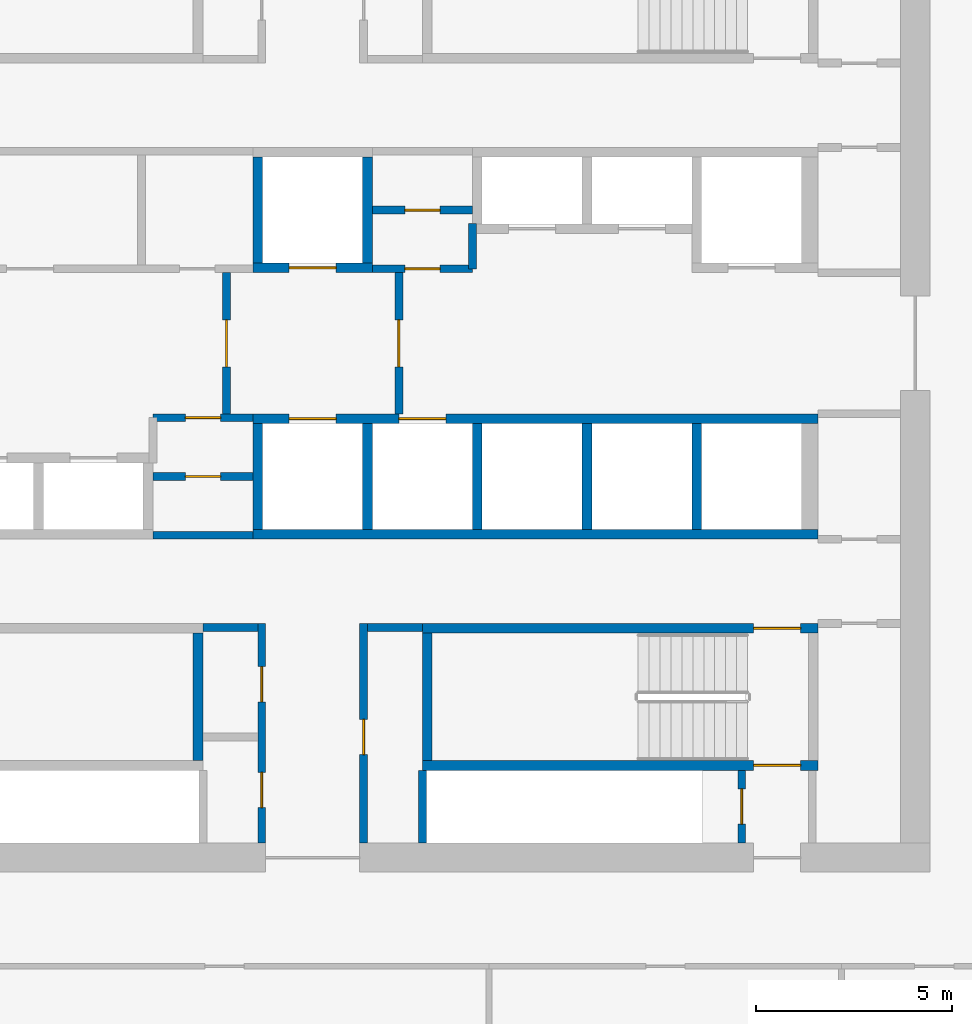
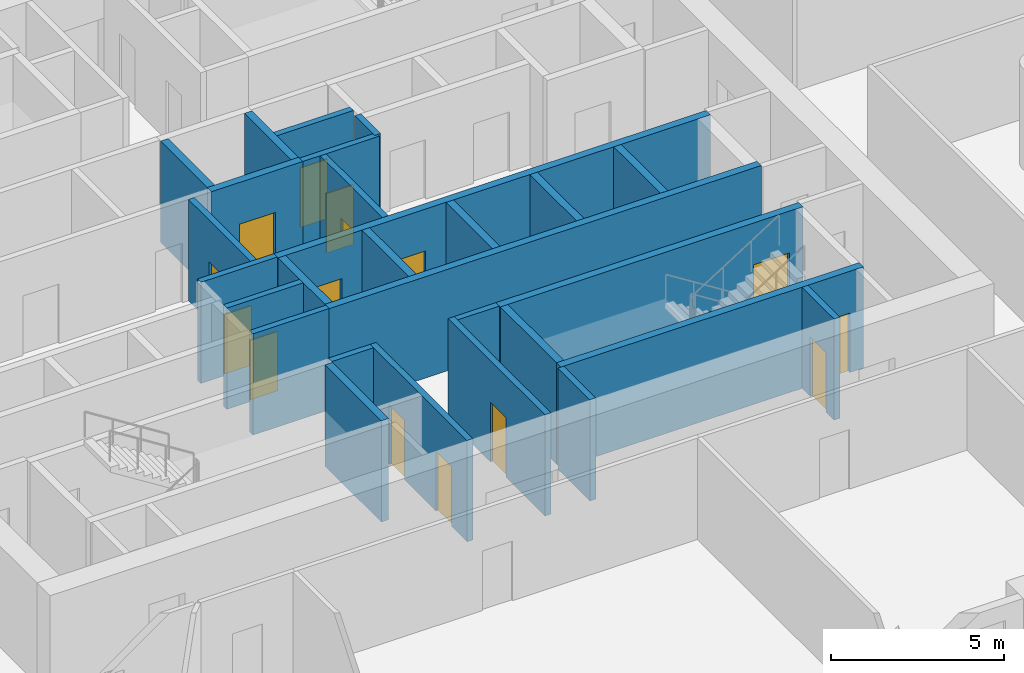
# One storey, part 4 of 17: 28 walls, 15 doors, 15 openings.
"""IFC4 building model written with IfcOpenShell, lengths in metres."""

from ifc_helpers import new_model, si_unit, direction, frame, frame_2d, origin, place, context, subcontext, project, spatial, polyline, rectangle, outline, extrude, material, layer, layer_set, type_object, element, fill, save


model = new_model("IFC4")

# Units and contexts
model_context = context("Model", 3, precision=1e-05, world=origin(), true_north=direction((0.0, 1.0)))
body_context = subcontext(model_context, "Body", "Model", "MODEL_VIEW")
ifc_project = project(units=[si_unit("LENGTHUNIT", "METRE"), si_unit("AREAUNIT", "SQUARE_METRE"), si_unit("VOLUMEUNIT", "CUBIC_METRE"), si_unit("PLANEANGLEUNIT", "RADIAN"), si_unit("MASSUNIT", "GRAM", prefix="KILO")], contexts=[model_context])

# Site, building, storey
site_placement = place(None, origin())
site = spatial("IfcSite", under=ifc_project, at=site_placement, CompositionType="ELEMENT")
building_placement = place(site_placement, origin())
building = spatial("IfcBuilding", under=site, at=building_placement, Name="Dhurran Vertical Campus", CompositionType="ELEMENT")
storey_placement = place(building_placement, frame((0.0, 0.0, 156.0)))
storey = spatial("IfcBuildingStorey", under=building, at=storey_placement, Name="L38", CompositionType="ELEMENT", Elevation=156.0)

# Wall, opening, door
ifc_material_1 = material(Name="Fire-rated masonry blockwork", Category="masonry")
ifc_layer_1 = layer(ifc_material_1, 0.199951171875)
ifc_layer_set_1 = layer_set([ifc_layer_1], Name="Fire-rated masonry blockwork")
wall_type_1 = type_object("IfcWallType", Name="co-FIRE-PARTITION-200", PredefinedType="PARTITIONING", material=ifc_layer_set_1)
wall_1_placement = place(storey_placement, frame((-2.199951171875, -1.800048828125, 0.0), z_axis=(0.0, 0.0, 1.0), x_axis=(0.0, 1.0, 0.0)))
wall_1 = element("IfcWall", 1, at=wall_1_placement, inside=storey, type_object=wall_type_1, Name="Firefighting lobby wall W L38", PredefinedType="PARTITIONING", context=body_context, shape_type="SweptSolid", body=[
    extrude(rectangle(XDim=3.60009765625, YDim=0.199951171875, at=frame_2d((1.800048828125, 0.0))), origin(), (0.0, 0.0, 1.0), 3.574951171875),
])
opening_1_placement = place(wall_1_placement, frame((1.199951171875, 0.0, 0.0)))
opening_1 = element("IfcOpeningElement", 2, at=opening_1_placement, cuts=wall_1, Name="Opening FL1", PredefinedType="OPENING", context=body_context, shape_type="SweptSolid", body=[
    extrude(rectangle(XDim=1.199951171875, YDim=2.10009765625, at=frame_2d((0.60009765625, 1.050048828125))), frame((0.0, 0.10986328125, 0.0), z_axis=(0.0, -1.0, 0.0), x_axis=(1.0, 0.0, 0.0)), (0.0, 0.0, 1.0), 0.219970703125),
])
ifc_material_2 = material(Name="Fire-rated steel door set", Category="steel")
door_type_1 = type_object("IfcDoorType", Name="co-D-FFLOBBY 1200x2100", OperationType="SINGLE_SWING_LEFT", PredefinedType="DOOR", material=ifc_material_2)
door_1_placement = place(opening_1_placement, origin())
door_1 = element("IfcDoor", 3, at=door_1_placement, inside=storey, type_object=door_type_1, Name="Firefighting lobby door W L38", OperationType="SINGLE_SWING_LEFT", OverallHeight=2.10009765625, OverallWidth=1.199951171875, PredefinedType="DOOR", context=body_context, shape_type="SweptSolid", body=[
    extrude(rectangle(XDim=1.199951171875, YDim=2.10009765625, at=frame_2d((0.60009765625, 1.050048828125))), frame((0.0, 0.02490234375, 0.0), z_axis=(0.0, -1.0, 0.0), x_axis=(1.0, 0.0, 0.0)), (0.0, 0.0, 1.0), 0.050048828125),
])
fill(opening_1, door_1)

wall_2_placement = place(storey_placement, frame((2.199951171875, -1.800048828125, 0.0), z_axis=(0.0, 0.0, 1.0), x_axis=(0.0, 1.0, 0.0)))
wall_2 = element("IfcWall", 4, at=wall_2_placement, inside=storey, type_object=wall_type_1, Name="Firefighting lobby wall E L38", PredefinedType="PARTITIONING", context=body_context, shape_type="SweptSolid", body=[
    extrude(rectangle(XDim=3.60009765625, YDim=0.199951171875, at=frame_2d((1.800048828125, 0.0))), origin(), (0.0, 0.0, 1.0), 3.574951171875),
])
opening_2_placement = place(wall_2_placement, frame((1.199951171875, 0.0, 0.0)))
opening_2 = element("IfcOpeningElement", 5, at=opening_2_placement, cuts=wall_2, Name="Opening FL2", PredefinedType="OPENING", context=body_context, shape_type="SweptSolid", body=[
    extrude(rectangle(XDim=1.199951171875, YDim=2.10009765625, at=frame_2d((0.60009765625, 1.050048828125))), frame((0.0, 0.10986328125, 0.0), z_axis=(0.0, -1.0, 0.0), x_axis=(1.0, 0.0, 0.0)), (0.0, 0.0, 1.0), 0.219970703125),
])
door_2_placement = place(opening_2_placement, origin())
door_2 = element("IfcDoor", 6, at=door_2_placement, inside=storey, type_object=door_type_1, Name="Firefighting lobby door E L38", OperationType="SINGLE_SWING_LEFT", OverallHeight=2.10009765625, OverallWidth=1.199951171875, PredefinedType="DOOR", context=body_context, shape_type="SweptSolid", body=[
    extrude(rectangle(XDim=1.199951171875, YDim=2.10009765625, at=frame_2d((0.60009765625, 1.050048828125))), frame((0.0, 0.02490234375, 0.0), z_axis=(0.0, -1.0, 0.0), x_axis=(1.0, 0.0, 0.0)), (0.0, 0.0, 1.0), 0.050048828125),
])
fill(opening_2, door_2)

# Walls
for number, where, z_axis, x_axis, name in (
    (7, (-2.800048828125, -7.25, 0.0), (0.0, 0.0, 1.0), (1.0, 0.0, 0.0), "Core partition sl-SW-S L38"),
    (8, (1.39990234375, -7.25, 0.0), (0.0, 0.0, 1.0), (1.0, 0.0, 0.0), "Core partition sl-SE-S L38"),
):
    element("IfcWall", number, at=place(storey_placement, frame(where, z_axis=z_axis, x_axis=x_axis)), inside=storey, type_object=wall_type_1, Name=name, PredefinedType="PARTITIONING", context=body_context, shape_type="SweptSolid", body=[
        extrude(rectangle(XDim=1.400146484375, YDim=0.199951171875, at=frame_2d((0.7001953125, 0.0))), origin(), (0.0, 0.0, 1.0), 3.574951171875),
    ])

# Wall, openings, doors
wall_3_placement = place(storey_placement, frame((-1.300048828125, -12.75, 0.0), z_axis=(0.0, 0.0, 1.0), x_axis=(0.0, 1.0, 0.0)))
wall_3 = element("IfcWall", 9, at=wall_3_placement, inside=storey, type_object=wall_type_1, Name="Core partition vest-SW L38", PredefinedType="PARTITIONING", context=body_context, shape_type="SweptSolid", body=[
    extrude(rectangle(XDim=5.60009765625, YDim=0.199951171875, at=frame_2d((2.800048828125, 0.0))), origin(), (0.0, 0.0, 1.0), 3.574951171875),
])
opening_3_placement = place(wall_3_placement, frame((0.89990234375, 0.0, 0.0)))
opening_3 = element("IfcOpeningElement", 10, at=opening_3_placement, cuts=wall_3, Name="Opening T11-C1", PredefinedType="OPENING", context=body_context, shape_type="SweptSolid", body=[
    extrude(rectangle(XDim=0.89990234375, YDim=2.10009765625, at=frame_2d((0.449951171875, 1.050048828125))), frame((0.0, 0.10986328125, 0.0), z_axis=(0.0, -1.0, 0.0), x_axis=(1.0, 0.0, 0.0)), (0.0, 0.0, 1.0), 0.219970703125),
])
opening_4_placement = place(wall_3_placement, frame((3.60009765625, 0.0, 0.0)))
opening_4 = element("IfcOpeningElement", 11, at=opening_4_placement, cuts=wall_3, Name="Opening T11-C2", PredefinedType="OPENING", context=body_context, shape_type="SweptSolid", body=[
    extrude(rectangle(XDim=0.89990234375, YDim=2.10009765625, at=frame_2d((0.449951171875, 1.050048828125))), frame((0.0, 0.10986328125, 0.0), z_axis=(0.0, -1.0, 0.0), x_axis=(1.0, 0.0, 0.0)), (0.0, 0.0, 1.0), 0.219970703125),
])
ifc_material_3 = material(Name="Fire-rated timber door set", Category="wood")
door_type_2 = type_object("IfcDoorType", Name="co-D-ROOM 900x2100", OperationType="SINGLE_SWING_LEFT", PredefinedType="DOOR", material=ifc_material_3)
door_3_placement = place(opening_3_placement, origin())
door_3 = element("IfcDoor", 12, at=door_3_placement, inside=storey, type_object=door_type_2, Name="Cleaner's store door L38", OperationType="SINGLE_SWING_LEFT", OverallHeight=2.10009765625, OverallWidth=0.89990234375, PredefinedType="DOOR", context=body_context, shape_type="SweptSolid", body=[
    extrude(rectangle(XDim=0.89990234375, YDim=2.10009765625, at=frame_2d((0.449951171875, 1.050048828125))), frame((0.0, 0.02490234375, 0.0), z_axis=(0.0, -1.0, 0.0), x_axis=(1.0, 0.0, 0.0)), (0.0, 0.0, 1.0), 0.050048828125),
])
fill(opening_3, door_3)
door_4_placement = place(opening_4_placement, origin())
door_4 = element("IfcDoor", 13, at=door_4_placement, inside=storey, type_object=door_type_2, Name="Store door L38", OperationType="SINGLE_SWING_LEFT", OverallHeight=2.10009765625, OverallWidth=0.89990234375, PredefinedType="DOOR", context=body_context, shape_type="SweptSolid", body=[
    extrude(rectangle(XDim=0.89990234375, YDim=2.10009765625, at=frame_2d((0.449951171875, 1.050048828125))), frame((0.0, 0.02490234375, 0.0), z_axis=(0.0, -1.0, 0.0), x_axis=(1.0, 0.0, 0.0)), (0.0, 0.0, 1.0), 0.050048828125),
])
fill(opening_4, door_4)

# Wall, opening, door
wall_4_placement = place(storey_placement, frame((1.300048828125, -12.75, 0.0), z_axis=(0.0, 0.0, 1.0), x_axis=(0.0, 1.0, 0.0)))
wall_4 = element("IfcWall", 14, at=wall_4_placement, inside=storey, type_object=wall_type_1, Name="Core partition vest-SE L38", PredefinedType="PARTITIONING", context=body_context, shape_type="SweptSolid", body=[
    extrude(rectangle(XDim=5.60009765625, YDim=0.199951171875, at=frame_2d((2.800048828125, 0.0))), origin(), (0.0, 0.0, 1.0), 3.574951171875),
])
opening_5_placement = place(wall_4_placement, frame((2.25, 0.0, 0.0)))
opening_5 = element("IfcOpeningElement", 15, at=opening_5_placement, cuts=wall_4, Name="Opening T11-C3", PredefinedType="OPENING", context=body_context, shape_type="SweptSolid", body=[
    extrude(rectangle(XDim=0.89990234375, YDim=2.10009765625, at=frame_2d((0.449951171875, 1.050048828125))), frame((0.0, 0.10986328125, 0.0), z_axis=(0.0, -1.0, 0.0), x_axis=(1.0, 0.0, 0.0)), (0.0, 0.0, 1.0), 0.219970703125),
])
door_5_placement = place(opening_5_placement, origin())
door_5 = element("IfcDoor", 16, at=door_5_placement, inside=storey, type_object=door_type_2, Name="Housekeeping store door L38", OperationType="SINGLE_SWING_LEFT", OverallHeight=2.10009765625, OverallWidth=0.89990234375, PredefinedType="DOOR", context=body_context, shape_type="SweptSolid", body=[
    extrude(rectangle(XDim=0.89990234375, YDim=2.10009765625, at=frame_2d((0.449951171875, 1.050048828125))), frame((0.0, 0.02490234375, 0.0), z_axis=(0.0, -1.0, 0.0), x_axis=(1.0, 0.0, 0.0)), (0.0, 0.0, 1.0), 0.050048828125),
])
fill(opening_5, door_5)

wall_5_placement = place(storey_placement, frame((10.949951171875, -12.75, 0.0), z_axis=(0.0, 0.0, 1.0), x_axis=(0.0, 1.0, 0.0)))
wall_5 = element("IfcWall", 17, at=wall_5_placement, inside=storey, type_object=wall_type_1, Name="Core partition pass-ST4-i L38", PredefinedType="PARTITIONING", context=body_context, shape_type="SweptSolid", body=[
    extrude(rectangle(XDim=1.85009765625, YDim=0.199951171875, at=frame_2d((0.925048828125, 0.0))), origin(), (0.0, 0.0, 1.0), 3.574951171875),
])
opening_6_placement = place(wall_5_placement, frame((0.47509765625, 0.0, 0.0)))
opening_6 = element("IfcOpeningElement", 18, at=opening_6_placement, cuts=wall_5, Name="Opening T11-C11", PredefinedType="OPENING", context=body_context, shape_type="SweptSolid", body=[
    extrude(rectangle(XDim=0.89990234375, YDim=2.10009765625, at=frame_2d((0.449951171875, 1.050048828125))), frame((0.0, 0.10986328125, 0.0), z_axis=(0.0, -1.0, 0.0), x_axis=(1.0, 0.0, 0.0)), (0.0, 0.0, 1.0), 0.219970703125),
])
door_6_placement = place(opening_6_placement, origin())
door_6 = element("IfcDoor", 19, at=door_6_placement, inside=storey, type_object=door_type_2, Name="Riser room door L38", OperationType="SINGLE_SWING_LEFT", OverallHeight=2.10009765625, OverallWidth=0.89990234375, PredefinedType="DOOR", context=body_context, shape_type="SweptSolid", body=[
    extrude(rectangle(XDim=0.89990234375, YDim=2.10009765625, at=frame_2d((0.449951171875, 1.050048828125))), frame((0.0, 0.02490234375, 0.0), z_axis=(0.0, -1.0, 0.0), x_axis=(1.0, 0.0, 0.0)), (0.0, 0.0, 1.0), 0.050048828125),
])
fill(opening_6, door_6)

wall_6_placement = place(storey_placement, frame((1.52490234375, 3.39990234375, 0.0), z_axis=(0.0, 0.0, 1.0), x_axis=(1.0, 0.0, 0.0)))
wall_6 = element("IfcWall", 20, at=wall_6_placement, inside=storey, type_object=wall_type_1, Name="Core partition fr-N1-c L38", PredefinedType="PARTITIONING", context=body_context, shape_type="SweptSolid", body=[
    extrude(rectangle(XDim=2.550048828125, YDim=0.199951171875, at=frame_2d((1.27490234375, 0.0))), origin(), (0.0, 0.0, 1.0), 3.574951171875),
])
opening_7_placement = place(wall_6_placement, frame((0.824951171875, 0.0, 0.0)))
opening_7 = element("IfcOpeningElement", 21, at=opening_7_placement, cuts=wall_6, Name="Opening T11-C23", PredefinedType="OPENING", context=body_context, shape_type="SweptSolid", body=[
    extrude(rectangle(XDim=0.89990234375, YDim=2.10009765625, at=frame_2d((0.449951171875, 1.050048828125))), frame((0.0, 0.10986328125, 0.0), z_axis=(0.0, -1.0, 0.0), x_axis=(1.0, 0.0, 0.0)), (0.0, 0.0, 1.0), 0.219970703125),
])
door_7_placement = place(opening_7_placement, origin())
door_7 = element("IfcDoor", 22, at=door_7_placement, inside=storey, type_object=door_type_2, Name="Pantry door L38", OperationType="SINGLE_SWING_LEFT", OverallHeight=2.10009765625, OverallWidth=0.89990234375, PredefinedType="DOOR", context=body_context, shape_type="SweptSolid", body=[
    extrude(rectangle(XDim=0.89990234375, YDim=2.10009765625, at=frame_2d((0.449951171875, 1.050048828125))), frame((0.0, 0.02490234375, 0.0), z_axis=(0.0, -1.0, 0.0), x_axis=(1.0, 0.0, 0.0)), (0.0, 0.0, 1.0), 0.050048828125),
])
fill(opening_7, door_7)

wall_7_placement = place(storey_placement, frame((1.52490234375, 1.89990234375, 0.0), z_axis=(0.0, 0.0, 1.0), x_axis=(1.0, 0.0, 0.0)))
wall_7 = element("IfcWall", 23, at=wall_7_placement, inside=storey, type_object=wall_type_1, Name="Core partition fr-N1-f L38", PredefinedType="PARTITIONING", context=body_context, shape_type="SweptSolid", body=[
    extrude(rectangle(XDim=2.550048828125, YDim=0.199951171875, at=frame_2d((1.27490234375, 0.0))), origin(), (0.0, 0.0, 1.0), 3.574951171875),
])
opening_8_placement = place(wall_7_placement, frame((0.824951171875, 0.0, 0.0)))
opening_8 = element("IfcOpeningElement", 24, at=opening_8_placement, cuts=wall_7, Name="Opening T11-C24", PredefinedType="OPENING", context=body_context, shape_type="SweptSolid", body=[
    extrude(rectangle(XDim=0.89990234375, YDim=2.10009765625, at=frame_2d((0.449951171875, 1.050048828125))), frame((0.0, 0.10986328125, 0.0), z_axis=(0.0, -1.0, 0.0), x_axis=(1.0, 0.0, 0.0)), (0.0, 0.0, 1.0), 0.219970703125),
])
door_8_placement = place(opening_8_placement, origin())
door_8 = element("IfcDoor", 25, at=door_8_placement, inside=storey, type_object=door_type_2, Name="Server room door L38", OperationType="SINGLE_SWING_LEFT", OverallHeight=2.10009765625, OverallWidth=0.89990234375, PredefinedType="DOOR", context=body_context, shape_type="SweptSolid", body=[
    extrude(rectangle(XDim=0.89990234375, YDim=2.10009765625, at=frame_2d((0.449951171875, 1.050048828125))), frame((0.0, 0.02490234375, 0.0), z_axis=(0.0, -1.0, 0.0), x_axis=(1.0, 0.0, 0.0)), (0.0, 0.0, 1.0), 0.050048828125),
])
fill(opening_8, door_8)

# Wall
wall_8_placement = place(storey_placement, frame((4.074951171875, 1.89990234375, 0.0), z_axis=(0.0, 0.0, 1.0), x_axis=(0.0, 1.0, 0.0)))
element("IfcWall", 26, at=wall_8_placement, inside=storey, type_object=wall_type_1, Name="Core partition fr-N1-n1 L38", PredefinedType="PARTITIONING", context=body_context, shape_type="SweptSolid", body=[
    extrude(rectangle(XDim=1.150146484375, YDim=0.199951171875, at=frame_2d((0.5751953125, 0.0))), origin(), (0.0, 0.0, 1.0), 3.574951171875),
])

# Wall, opening, door
wall_9_placement = place(storey_placement, frame((-4.074951171875, -3.39990234375, 0.0), z_axis=(0.0, 0.0, 1.0), x_axis=(1.0, 0.0, 0.0)))
wall_9 = element("IfcWall", 27, at=wall_9_placement, inside=storey, type_object=wall_type_1, Name="Core partition fr-S0-c L38", PredefinedType="PARTITIONING", context=body_context, shape_type="SweptSolid", body=[
    extrude(rectangle(XDim=2.550048828125, YDim=0.199951171875, at=frame_2d((1.27490234375, 0.0))), origin(), (0.0, 0.0, 1.0), 3.574951171875),
])
opening_9_placement = place(wall_9_placement, frame((0.824951171875, 0.0, 0.0)))
opening_9 = element("IfcOpeningElement", 28, at=opening_9_placement, cuts=wall_9, Name="Opening T11-C25", PredefinedType="OPENING", context=body_context, shape_type="SweptSolid", body=[
    extrude(rectangle(XDim=0.89990234375, YDim=2.10009765625, at=frame_2d((0.449951171875, 1.050048828125))), frame((0.0, 0.10986328125, 0.0), z_axis=(0.0, -1.0, 0.0), x_axis=(1.0, 0.0, 0.0)), (0.0, 0.0, 1.0), 0.219970703125),
])
door_9_placement = place(opening_9_placement, origin())
door_9 = element("IfcDoor", 29, at=door_9_placement, inside=storey, type_object=door_type_2, Name="Housekeeping store door L38", OperationType="SINGLE_SWING_LEFT", OverallHeight=2.10009765625, OverallWidth=0.89990234375, PredefinedType="DOOR", context=body_context, shape_type="SweptSolid", body=[
    extrude(rectangle(XDim=0.89990234375, YDim=2.10009765625, at=frame_2d((0.449951171875, 1.050048828125))), frame((0.0, 0.02490234375, 0.0), z_axis=(0.0, -1.0, 0.0), x_axis=(1.0, 0.0, 0.0)), (0.0, 0.0, 1.0), 0.050048828125),
])
fill(opening_9, door_9)

wall_10_placement = place(storey_placement, frame((-4.074951171875, -1.89990234375, 0.0), z_axis=(0.0, 0.0, 1.0), x_axis=(1.0, 0.0, 0.0)))
wall_10 = element("IfcWall", 30, at=wall_10_placement, inside=storey, type_object=wall_type_1, Name="Core partition fr-S0-f L38", PredefinedType="PARTITIONING", context=body_context, shape_type="SweptSolid", body=[
    extrude(rectangle(XDim=2.550048828125, YDim=0.199951171875, at=frame_2d((1.27490234375, 0.0))), origin(), (0.0, 0.0, 1.0), 3.574951171875),
])
opening_10_placement = place(wall_10_placement, frame((0.824951171875, 0.0, 0.0)))
opening_10 = element("IfcOpeningElement", 31, at=opening_10_placement, cuts=wall_10, Name="Opening T11-C26", PredefinedType="OPENING", context=body_context, shape_type="SweptSolid", body=[
    extrude(rectangle(XDim=0.89990234375, YDim=2.10009765625, at=frame_2d((0.449951171875, 1.050048828125))), frame((0.0, 0.10986328125, 0.0), z_axis=(0.0, -1.0, 0.0), x_axis=(1.0, 0.0, 0.0)), (0.0, 0.0, 1.0), 0.219970703125),
])
door_10_placement = place(opening_10_placement, origin())
door_10 = element("IfcDoor", 32, at=door_10_placement, inside=storey, type_object=door_type_2, Name="Pantry door L38", OperationType="SINGLE_SWING_LEFT", OverallHeight=2.10009765625, OverallWidth=0.89990234375, PredefinedType="DOOR", context=body_context, shape_type="SweptSolid", body=[
    extrude(rectangle(XDim=0.89990234375, YDim=2.10009765625, at=frame_2d((0.449951171875, 1.050048828125))), frame((0.0, 0.02490234375, 0.0), z_axis=(0.0, -1.0, 0.0), x_axis=(1.0, 0.0, 0.0)), (0.0, 0.0, 1.0), 0.050048828125),
])
fill(opening_10, door_10)

# Walls
wall_11_placement = place(storey_placement, frame((-4.074951171875, -4.89990234375, 0.0), z_axis=(0.0, 0.0, 1.0), x_axis=(1.0, 0.0, 0.0)))
element("IfcWall", 33, at=wall_11_placement, inside=storey, type_object=wall_type_1, Name="Core partition fr-S0-b L38", PredefinedType="PARTITIONING", context=body_context, shape_type="SweptSolid", body=[
    extrude(rectangle(XDim=2.550048828125, YDim=0.199951171875, at=frame_2d((1.27490234375, 0.0))), origin(), (0.0, 0.0, 1.0), 3.574951171875),
])
wall_12_placement = place(storey_placement, frame((2.800048828125, -10.90087890625, 0.0), z_axis=(0.0, 0.0, 1.0), x_axis=(0.0, -1.0, 0.0)))
element("IfcWall", 34, at=wall_12_placement, inside=storey, type_object=wall_type_1, Name="Riser enclosure wall L38", PredefinedType="PARTITIONING", context=body_context, shape_type="SweptSolid", body=[
    extrude(rectangle(XDim=1.84814453125, YDim=0.199951171875, at=frame_2d((0.924072265625, 0.0))), origin(), (0.0, 0.0, 1.0), 3.574951171875),
])

# Wall, opening, door
ifc_material_4 = material(Name="Concrete C50/60", Category="concrete")
ifc_layer_2 = layer(ifc_material_4, 0.25)
ifc_layer_set_2 = layer_set([ifc_layer_2], Name="Concrete C50/60")
wall_type_2 = type_object("IfcWallType", Name="co-SHAFT-FRONT-250", PredefinedType="SHEAR", material=ifc_layer_set_2)
wall_13_placement = place(storey_placement, frame((-1.52490234375, 1.925048828125, 0.0), z_axis=(0.0, 0.0, 1.0), x_axis=(1.0, 0.0, 0.0)))
wall_13 = element("IfcWall", 35, at=wall_13_placement, inside=storey, type_object=wall_type_2, Name="Lift landing wall N L38", PredefinedType="SHEAR", context=body_context, shape_type="SweptSolid", body=[
    extrude(rectangle(XDim=3.0498046875, YDim=0.25, at=frame_2d((1.52490234375, 0.0))), origin(), (0.0, 0.0, 1.0), 3.574951171875),
])
opening_11_placement = place(wall_13_placement, frame((0.925048828125, 0.0, 0.0)))
opening_11 = element("IfcOpeningElement", 36, at=opening_11_placement, cuts=wall_13, Name="Opening LD", PredefinedType="OPENING", context=body_context, shape_type="SweptSolid", body=[
    extrude(rectangle(XDim=1.199951171875, YDim=2.10009765625, at=frame_2d((0.60009765625, 1.050048828125))), frame((0.0, 0.135009765625, 0.0), z_axis=(0.0, -1.0, 0.0), x_axis=(1.0, 0.0, 0.0)), (0.0, 0.0, 1.0), 0.27001953125),
])
ifc_material_5 = material(Name="Stainless steel landing door", Category="steel")
door_type_3 = type_object("IfcDoorType", Name="co-D-LANDING 1200x2100", OperationType="DOUBLE_DOOR_SLIDING", PredefinedType="DOOR", material=ifc_material_5)
door_11_placement = place(opening_11_placement, origin())
door_11 = element("IfcDoor", 37, at=door_11_placement, inside=storey, type_object=door_type_3, Name="Landing door FF1 L38", OperationType="DOUBLE_DOOR_SLIDING", OverallHeight=2.10009765625, OverallWidth=1.199951171875, PredefinedType="DOOR", context=body_context, shape_type="SweptSolid", body=[
    extrude(rectangle(XDim=1.199951171875, YDim=2.10009765625, at=frame_2d((0.60009765625, 1.050048828125))), frame((0.0, 0.02490234375, 0.0), z_axis=(0.0, -1.0, 0.0), x_axis=(1.0, 0.0, 0.0)), (0.0, 0.0, 1.0), 0.050048828125),
])
fill(opening_11, door_11)

# Wall, openings, doors
wall_14_placement = place(storey_placement, frame((-1.52490234375, -1.925048828125, 0.0), z_axis=(0.0, 0.0, 1.0), x_axis=(1.0, 0.0, 0.0)))
wall_14 = element("IfcWall", 38, at=wall_14_placement, inside=storey, type_object=wall_type_2, Name="Lift landing wall S L38", PredefinedType="SHEAR", context=body_context, shape_type="SweptSolid", body=[
    extrude(rectangle(XDim=14.4248046875, YDim=0.25, at=frame_2d((7.21240234375, 0.0))), origin(), (0.0, 0.0, 1.0), 3.574951171875),
])
opening_12_placement = place(wall_14_placement, frame((0.925048828125, 0.0, 0.0)))
opening_12 = element("IfcOpeningElement", 39, at=opening_12_placement, cuts=wall_14, Name="Opening LD", PredefinedType="OPENING", context=body_context, shape_type="SweptSolid", body=[
    extrude(rectangle(XDim=1.199951171875, YDim=2.10009765625, at=frame_2d((0.60009765625, 1.050048828125))), frame((0.0, 0.135009765625, 0.0), z_axis=(0.0, -1.0, 0.0), x_axis=(1.0, 0.0, 0.0)), (0.0, 0.0, 1.0), 0.27001953125),
])
opening_13_placement = place(wall_14_placement, frame((3.72509765625, 0.0, 0.0)))
opening_13 = element("IfcOpeningElement", 40, at=opening_13_placement, cuts=wall_14, Name="Opening LD", PredefinedType="OPENING", context=body_context, shape_type="SweptSolid", body=[
    extrude(rectangle(XDim=1.199951171875, YDim=2.10009765625, at=frame_2d((0.60009765625, 1.050048828125))), frame((0.0, 0.135009765625, 0.0), z_axis=(0.0, -1.0, 0.0), x_axis=(1.0, 0.0, 0.0)), (0.0, 0.0, 1.0), 0.27001953125),
])
door_12_placement = place(opening_12_placement, origin())
door_12 = element("IfcDoor", 41, at=door_12_placement, inside=storey, type_object=door_type_3, Name="Landing door FF2 L38", OperationType="DOUBLE_DOOR_SLIDING", OverallHeight=2.10009765625, OverallWidth=1.199951171875, PredefinedType="DOOR", context=body_context, shape_type="SweptSolid", body=[
    extrude(rectangle(XDim=1.199951171875, YDim=2.10009765625, at=frame_2d((0.60009765625, 1.050048828125))), frame((0.0, 0.02490234375, 0.0), z_axis=(0.0, -1.0, 0.0), x_axis=(1.0, 0.0, 0.0)), (0.0, 0.0, 1.0), 0.050048828125),
])
fill(opening_12, door_12)
door_13_placement = place(opening_13_placement, origin())
door_13 = element("IfcDoor", 42, at=door_13_placement, inside=storey, type_object=door_type_3, Name="Landing door SV1 L38", OperationType="DOUBLE_DOOR_SLIDING", OverallHeight=2.10009765625, OverallWidth=1.199951171875, PredefinedType="DOOR", context=body_context, shape_type="SweptSolid", body=[
    extrude(rectangle(XDim=1.199951171875, YDim=2.10009765625, at=frame_2d((0.60009765625, 1.050048828125))), frame((0.0, 0.02490234375, 0.0), z_axis=(0.0, -1.0, 0.0), x_axis=(1.0, 0.0, 0.0)), (0.0, 0.0, 1.0), 0.050048828125),
])
fill(opening_13, door_13)

# Walls
ifc_material_6 = material(Name="Concrete C50/60", Category="concrete")
ifc_layer_3 = layer(ifc_material_6, 0.25)
ifc_layer_set_3 = layer_set([ifc_layer_3], Name="Concrete C50/60")
wall_type_3 = type_object("IfcWallType", Name="co-SHAFT-MASS-250", PredefinedType="SHEAR", material=ifc_layer_set_3)
wall_15_placement = place(storey_placement, origin())
element("IfcWall", 43, at=wall_15_placement, inside=storey, type_object=wall_type_3, Name="Lift shaft wall N L38 3", PredefinedType="SHEAR", context=body_context, shape_type="SweptSolid", body=[
    extrude(outline(polyline([(-1.52490234375, 2.050048828125), (-1.27490234375, 2.050048828125), (-1.27490234375, 4.75), (-1.52490234375, 4.75), (-1.52490234375, 2.050048828125)])), origin(), (0.0, 0.0, 1.0), 3.574951171875),
])
wall_16_placement = place(storey_placement, origin())
element("IfcWall", 44, at=wall_16_placement, inside=storey, type_object=wall_type_3, Name="Lift shaft wall N L38 4", PredefinedType="SHEAR", context=body_context, shape_type="SweptSolid", body=[
    extrude(outline(polyline([(1.27490234375, 2.050048828125), (1.52490234375, 2.050048828125), (1.52490234375, 4.75), (1.27490234375, 4.75), (1.27490234375, 2.050048828125)])), origin(), (0.0, 0.0, 1.0), 3.574951171875),
])
wall_17_placement = place(storey_placement, origin())
element("IfcWall", 45, at=wall_17_placement, inside=storey, type_object=wall_type_3, Name="Lift shaft wall S L38 2", PredefinedType="SHEAR", context=body_context, shape_type="SweptSolid", body=[
    extrude(outline(polyline([(-1.52490234375, -5.0), (12.89990234375, -5.0), (12.89990234375, -4.75), (-1.52490234375, -4.75), (-1.52490234375, -5.0)])), origin(), (0.0, 0.0, 1.0), 3.574951171875),
])
wall_18_placement = place(storey_placement, origin())
element("IfcWall", 46, at=wall_18_placement, inside=storey, type_object=wall_type_3, Name="Lift shaft wall S L38 7", PredefinedType="SHEAR", context=body_context, shape_type="SweptSolid", body=[
    extrude(outline(polyline([(-1.52490234375, -4.75), (-1.27490234375, -4.75), (-1.27490234375, -2.050048828125), (-1.52490234375, -2.050048828125), (-1.52490234375, -4.75)])), origin(), (0.0, 0.0, 1.0), 3.574951171875),
])
wall_19_placement = place(storey_placement, origin())
element("IfcWall", 47, at=wall_19_placement, inside=storey, type_object=wall_type_3, Name="Lift shaft wall S L38 8", PredefinedType="SHEAR", context=body_context, shape_type="SweptSolid", body=[
    extrude(outline(polyline([(1.27490234375, -4.75), (1.52490234375, -4.75), (1.52490234375, -2.050048828125), (1.27490234375, -2.050048828125), (1.27490234375, -4.75)])), origin(), (0.0, 0.0, 1.0), 3.574951171875),
])
wall_20_placement = place(storey_placement, origin())
element("IfcWall", 48, at=wall_20_placement, inside=storey, type_object=wall_type_3, Name="Lift shaft wall S L38 9", PredefinedType="SHEAR", context=body_context, shape_type="SweptSolid", body=[
    extrude(outline(polyline([(4.074951171875, -4.75), (4.324951171875, -4.75), (4.324951171875, -2.050048828125), (4.074951171875, -2.050048828125), (4.074951171875, -4.75)])), origin(), (0.0, 0.0, 1.0), 3.574951171875),
])
wall_21_placement = place(storey_placement, origin())
element("IfcWall", 49, at=wall_21_placement, inside=storey, type_object=wall_type_3, Name="Lift shaft wall S L38 10", PredefinedType="SHEAR", context=body_context, shape_type="SweptSolid", body=[
    extrude(outline(polyline([(6.875, -4.75), (7.125, -4.75), (7.125, -2.050048828125), (6.875, -2.050048828125), (6.875, -4.75)])), origin(), (0.0, 0.0, 1.0), 3.574951171875),
])
wall_22_placement = place(storey_placement, origin())
element("IfcWall", 50, at=wall_22_placement, inside=storey, type_object=wall_type_3, Name="Lift shaft wall S L38 11", PredefinedType="SHEAR", context=body_context, shape_type="SweptSolid", body=[
    extrude(outline(polyline([(9.675048828125, -4.75), (9.925048828125, -4.75), (9.925048828125, -2.050048828125), (9.675048828125, -2.050048828125), (9.675048828125, -4.75)])), origin(), (0.0, 0.0, 1.0), 3.574951171875),
])
ifc_material_7 = material(Name="Concrete C40/50", Category="concrete")
ifc_layer_4 = layer(ifc_material_7, 0.25)
ifc_layer_set_4 = layer_set([ifc_layer_4], Name="Concrete C40/50")
wall_type_4 = type_object("IfcWallType", Name="co-STAIR-WALL-250", PredefinedType="SHEAR", material=ifc_layer_set_4)
wall_23_placement = place(storey_placement, frame((-2.925048828125, -10.64990234375, 0.0), z_axis=(0.0, 0.0, 1.0), x_axis=(0.0, 1.0, 0.0)))
element("IfcWall", 51, at=wall_23_placement, inside=storey, type_object=wall_type_4, Name="Stair ST3 enclosure wall L38", PredefinedType="SHEAR", context=body_context, shape_type="SweptSolid", body=[
    extrude(rectangle(XDim=3.25, YDim=0.25, at=frame_2d((1.625, 0.0))), origin(), (0.0, 0.0, 1.0), 3.574951171875),
])

# Wall, opening, door
wall_24_placement = place(storey_placement, frame((2.800048828125, -10.77490234375, 0.0), z_axis=(0.0, 0.0, 1.0), x_axis=(1.0, 0.0, 0.0)))
wall_24 = element("IfcWall", 52, at=wall_24_placement, inside=storey, type_object=wall_type_4, Name="Stair ST4 enclosure wall L38", PredefinedType="SHEAR", context=body_context, shape_type="SweptSolid", body=[
    extrude(rectangle(XDim=10.099853515625, YDim=0.25, at=frame_2d((5.0498046875, 0.0))), origin(), (0.0, 0.0, 1.0), 3.574951171875),
])
opening_14_placement = place(wall_24_placement, frame((8.449951171875, 0.0, 0.0)))
opening_14 = element("IfcOpeningElement", 53, at=opening_14_placement, cuts=wall_24, Name="Opening XS4", PredefinedType="OPENING", context=body_context, shape_type="SweptSolid", body=[
    extrude(rectangle(XDim=1.199951171875, YDim=2.10009765625, at=frame_2d((0.60009765625, 1.050048828125))), frame((0.0, 0.135009765625, 0.0), z_axis=(0.0, -1.0, 0.0), x_axis=(1.0, 0.0, 0.0)), (0.0, 0.0, 1.0), 0.27001953125),
])
ifc_material_8 = material(Name="Fire-rated steel door set", Category="steel")
door_type_4 = type_object("IfcDoorType", Name="co-D-STAIR-EXIT 1200x2100", OperationType="SINGLE_SWING_RIGHT", PredefinedType="DOOR", material=ifc_material_8)
door_14_placement = place(opening_14_placement, origin())
door_14 = element("IfcDoor", 54, at=door_14_placement, inside=storey, type_object=door_type_4, Name="Stair ST4 discharge door L38", OperationType="SINGLE_SWING_RIGHT", OverallHeight=2.10009765625, OverallWidth=1.199951171875, PredefinedType="DOOR", context=body_context, shape_type="SweptSolid", body=[
    extrude(rectangle(XDim=1.199951171875, YDim=2.10009765625, at=frame_2d((0.60009765625, 1.050048828125))), frame((0.0, 0.02490234375, 0.0), z_axis=(0.0, -1.0, 0.0), x_axis=(1.0, 0.0, 0.0)), (0.0, 0.0, 1.0), 0.050048828125),
])
fill(opening_14, door_14)

wall_25_placement = place(storey_placement, frame((2.800048828125, -7.27490234375, 0.0), z_axis=(0.0, 0.0, 1.0), x_axis=(1.0, 0.0, 0.0)))
wall_25 = element("IfcWall", 55, at=wall_25_placement, inside=storey, type_object=wall_type_4, Name="Stair ST4 enclosure wall L38", PredefinedType="SHEAR", context=body_context, shape_type="SweptSolid", body=[
    extrude(rectangle(XDim=10.099853515625, YDim=0.25, at=frame_2d((5.0498046875, 0.0))), origin(), (0.0, 0.0, 1.0), 3.574951171875),
])
opening_15_placement = place(wall_25_placement, frame((8.449951171875, 0.0, 0.0)))
opening_15 = element("IfcOpeningElement", 56, at=opening_15_placement, cuts=wall_25, Name="Opening SD4", PredefinedType="OPENING", context=body_context, shape_type="SweptSolid", body=[
    extrude(rectangle(XDim=1.199951171875, YDim=2.10009765625, at=frame_2d((0.60009765625, 1.050048828125))), frame((0.0, 0.135009765625, 0.0), z_axis=(0.0, -1.0, 0.0), x_axis=(1.0, 0.0, 0.0)), (0.0, 0.0, 1.0), 0.27001953125),
])
ifc_material_9 = material(Name="Fire-rated steel door set", Category="steel")
door_type_5 = type_object("IfcDoorType", Name="co-D-STAIR 1200x2100", OperationType="SINGLE_SWING_LEFT", PredefinedType="DOOR", material=ifc_material_9)
door_15_placement = place(opening_15_placement, origin())
door_15 = element("IfcDoor", 57, at=door_15_placement, inside=storey, type_object=door_type_5, Name="Stair ST4 door L38", OperationType="SINGLE_SWING_LEFT", OverallHeight=2.10009765625, OverallWidth=1.199951171875, PredefinedType="DOOR", context=body_context, shape_type="SweptSolid", body=[
    extrude(rectangle(XDim=1.199951171875, YDim=2.10009765625, at=frame_2d((0.60009765625, 1.050048828125))), frame((0.0, 0.02490234375, 0.0), z_axis=(0.0, -1.0, 0.0), x_axis=(1.0, 0.0, 0.0)), (0.0, 0.0, 1.0), 0.050048828125),
])
fill(opening_15, door_15)

# Wall
wall_26_placement = place(storey_placement, frame((2.925048828125, -10.64990234375, 0.0), z_axis=(0.0, 0.0, 1.0), x_axis=(0.0, 1.0, 0.0)))
element("IfcWall", 58, at=wall_26_placement, inside=storey, type_object=wall_type_4, Name="Stair ST4 enclosure wall L38", PredefinedType="SHEAR", context=body_context, shape_type="SweptSolid", body=[
    extrude(rectangle(XDim=3.25, YDim=0.25, at=frame_2d((1.625, 0.0))), origin(), (0.0, 0.0, 1.0), 3.574951171875),
])

save(model, "model.ifc")
